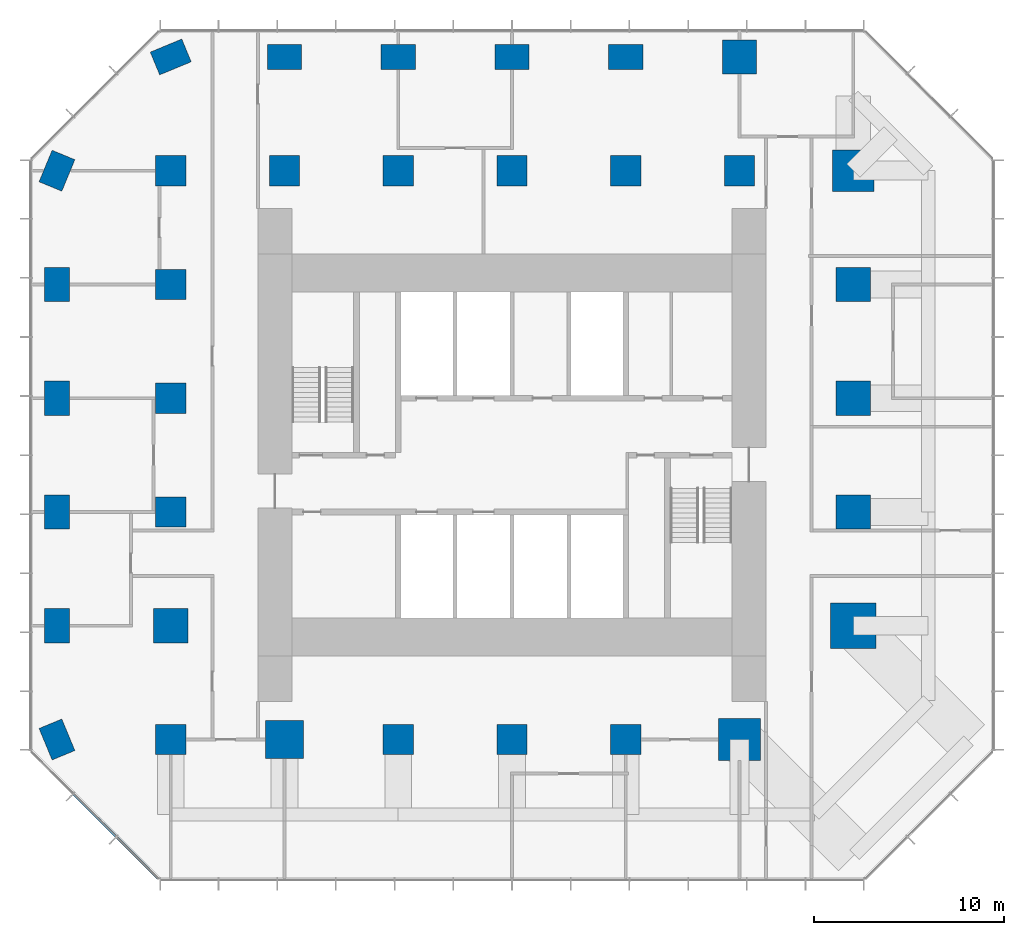
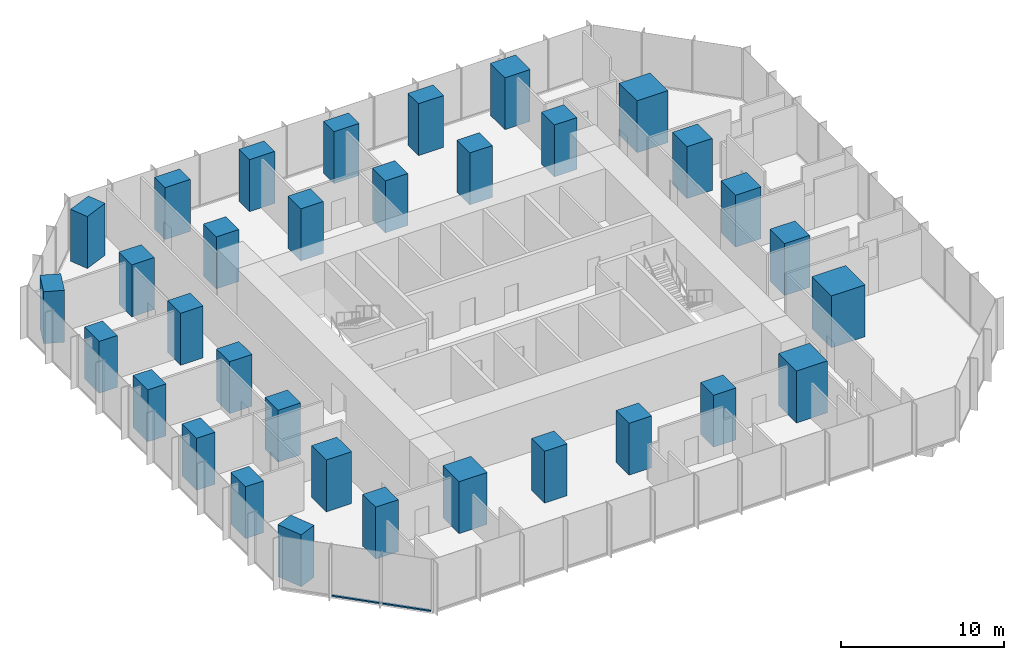
# One storey, part 1 of 11: 33 columns, 2 members, 1 element without a shape of its own.
"""IFC4 building model written with IfcOpenShell, lengths in metres."""

from ifc_helpers import new_model, si_unit, direction, frame, origin, origin_2d, place, context, subcontext, project, spatial, rectangle, extrude, material, layer, layer_set, material_profile, profile_set, type_object, element, aggregate, save


model = new_model("IFC4")

# Units and contexts
model_context = context("Model", 3, precision=1e-05, world=origin(), true_north=direction((0.0, 1.0)))
body_context = subcontext(model_context, "Body", "Model", "MODEL_VIEW")
ifc_project = project(units=[si_unit("LENGTHUNIT", "METRE"), si_unit("AREAUNIT", "SQUARE_METRE"), si_unit("VOLUMEUNIT", "CUBIC_METRE"), si_unit("PLANEANGLEUNIT", "RADIAN"), si_unit("MASSUNIT", "GRAM", prefix="KILO")], contexts=[model_context])

# Site, building, storey
site_placement = place(None, origin())
site = spatial("IfcSite", under=ifc_project, at=site_placement, CompositionType="ELEMENT")
building_placement = place(site_placement, origin())
building = spatial("IfcBuilding", under=site, at=building_placement, Name="Highveld Stack Headquarters", CompositionType="ELEMENT")
storey_placement = place(building_placement, frame((0.0, 0.0, 144.5)))
storey = spatial("IfcBuildingStorey", under=building, at=storey_placement, Name="L35", CompositionType="ELEMENT", Elevation=144.5)

# Columns
ifc_material_1 = material(Name="Concrete C60/75", Category="concrete")
ifc_material_profile_1 = material_profile(ifc_material_1, rectangle(XDim=1.60009765625, YDim=1.60009765625, at=origin_2d()), Name="RC 1600x1600")
ifc_profile_set_1 = profile_set([ifc_material_profile_1], Name="Concrete C60/75")
column_type_1 = type_object("IfcColumnType", Name="COLUMN RC 1600x1600 C60/75", PredefinedType="COLUMN", material=ifc_profile_set_1)
for number, where, z_axis, x_axis, name in (
    (1, (-12.0, -12.0, 0.0), (0.0, 0.0, 1.0), (1.0, 0.0, 0.0), "Column 4/C L35"),
    (2, (-12.0, 0.0, 0.0), (0.0, 0.0, 1.0), (1.0, 0.0, 0.0), "Column 4/E L35"),
    (3, (-12.0, 6.0, 0.0), (0.0, 0.0, 1.0), (1.0, 0.0, 0.0), "Column 4/F L35"),
    (4, (-12.0, 12.0, 0.0), (0.0, 0.0, 1.0), (1.0, 0.0, 0.0), "Column 4/G L35"),
    (5, (-12.0, 18.0, 0.0), (0.0, 0.0, 1.0), (1.0, 0.0, 0.0), "Column 4/H L35"),
    (6, (-6.0, 18.0, 0.0), (0.0, 0.0, 1.0), (1.0, 0.0, 0.0), "Column 5/H L35"),
    (7, (0.0, -12.0, 0.0), (0.0, 0.0, 1.0), (1.0, 0.0, 0.0), "Column 6/C L35"),
    (8, (0.0, 18.0, 0.0), (0.0, 0.0, 1.0), (1.0, 0.0, 0.0), "Column 6/H L35"),
    (9, (6.0, -12.0, 0.0), (0.0, 0.0, 1.0), (1.0, 0.0, 0.0), "Column 7/C L35"),
    (10, (6.0, 18.0, 0.0), (0.0, 0.0, 1.0), (1.0, 0.0, 0.0), "Column 7/H L35"),
    (11, (12.0, -12.0, 0.0), (0.0, 0.0, 1.0), (1.0, 0.0, 0.0), "Column 8/C L35"),
    (12, (12.0, 18.0, 0.0), (0.0, 0.0, 1.0), (1.0, 0.0, 0.0), "Column 8/H L35"),
    (13, (18.0, 18.0, 0.0), (0.0, 0.0, 1.0), (1.0, 0.0, 0.0), "Column 9/H L35"),
):
    element("IfcColumn", number, at=place(storey_placement, frame(where, z_axis=z_axis, x_axis=x_axis)), inside=storey, type_object=column_type_1, Name=name, PredefinedType="COLUMN", context=body_context, shape_type="SweptSolid", body=[
        extrude(rectangle(XDim=1.60009765625, YDim=1.60009765625, at=origin_2d()), origin(), (0.0, 0.0, 1.0), 3.89990234375),
    ])
ifc_material_2 = material(Name="Concrete C60/75", Category="concrete")
ifc_material_profile_2 = material_profile(ifc_material_2, rectangle(XDim=1.800048828125, YDim=1.300048828125, at=origin_2d()), Name="RC 1800x1300")
ifc_profile_set_2 = profile_set([ifc_material_profile_2], Name="Concrete C60/75")
column_type_2 = type_object("IfcColumnType", Name="COLUMN RC 1800x1300 C60/75", PredefinedType="COLUMN", material=ifc_profile_set_2)
for number, where, z_axis, x_axis, name in (
    (14, (-18.0, -12.0, 0.0), (0.0, 0.0, 1.0), (-0.382683432365, 0.923879532511, 0.0), "Column 3/C L35"),
    (15, (-18.0, -6.0, 0.0), (0.0, 0.0, 1.0), (0.0, 1.0, 0.0), "Column 3/D L35"),
    (16, (-18.0, 0.0, 0.0), (0.0, 0.0, 1.0), (0.0, 1.0, 0.0), "Column 3/E L35"),
    (17, (-18.0, 6.0, 0.0), (0.0, 0.0, 1.0), (0.0, 1.0, 0.0), "Column 3/F L35"),
    (18, (-18.0, 12.0, 0.0), (0.0, 0.0, 1.0), (0.0, 1.0, 0.0), "Column 3/G L35"),
    (19, (-18.0, 18.0, 0.0), (0.0, 0.0, 1.0), (0.382683432365, 0.923879532511, 0.0), "Column 3/H L35"),
    (20, (-12.0, 24.0, 0.0), (0.0, 0.0, 1.0), (0.923879532511, 0.382683432365, 0.0), "Column 4/J L35"),
    (21, (-6.0, 24.0, 0.0), (0.0, 0.0, 1.0), (1.0, 0.0, 0.0), "Column 5/J L35"),
    (22, (0.0, 24.0, 0.0), (0.0, 0.0, 1.0), (1.0, 0.0, 0.0), "Column 6/J L35"),
    (23, (6.0, 24.0, 0.0), (0.0, 0.0, 1.0), (1.0, 0.0, 0.0), "Column 7/J L35"),
    (24, (12.0, 24.0, 0.0), (0.0, 0.0, 1.0), (1.0, 0.0, 0.0), "Column 8/J L35"),
):
    element("IfcColumn", number, at=place(storey_placement, frame(where, z_axis=z_axis, x_axis=x_axis)), inside=storey, type_object=column_type_2, Name=name, PredefinedType="COLUMN", context=body_context, shape_type="SweptSolid", body=[
        extrude(rectangle(XDim=1.800048828125, YDim=1.300048828125, at=origin_2d()), origin(), (0.0, 0.0, 1.0), 3.89990234375),
    ])
ifc_material_3 = material(Name="Concrete C60/75", Category="concrete")
ifc_material_profile_3 = material_profile(ifc_material_3, rectangle(XDim=1.800048828125, YDim=1.800048828125, at=origin_2d()), Name="RC 1800x1800")
ifc_profile_set_3 = profile_set([ifc_material_profile_3], Name="Concrete C60/75")
column_type_3 = type_object("IfcColumnType", Name="COLUMN RC 1800x1800 C60/75", PredefinedType="COLUMN", material=ifc_profile_set_3)
for number, where, z_axis, x_axis, name in (
    (25, (-12.0, -6.0, 0.0), (0.0, 0.0, 1.0), (1.0, 0.0, 0.0), "Column 4/D L35"),
    (26, (18.0, 24.0, 0.0), (0.0, 0.0, 1.0), (1.0, 0.0, 0.0), "Column 9/J L35"),
    (27, (24.0, 0.0, 0.0), (0.0, 0.0, 1.0), (1.0, 0.0, 0.0), "Column 10/E L35"),
    (28, (24.0, 6.0, 0.0), (0.0, 0.0, 1.0), (1.0, 0.0, 0.0), "Column 10/F L35"),
    (29, (24.0, 12.0, 0.0), (0.0, 0.0, 1.0), (1.0, 0.0, 0.0), "Column 10/G L35"),
):
    element("IfcColumn", number, at=place(storey_placement, frame(where, z_axis=z_axis, x_axis=x_axis)), inside=storey, type_object=column_type_3, Name=name, PredefinedType="COLUMN", context=body_context, shape_type="SweptSolid", body=[
        extrude(rectangle(XDim=1.800048828125, YDim=1.800048828125, at=origin_2d()), origin(), (0.0, 0.0, 1.0), 3.89990234375),
    ])
ifc_material_4 = material(Name="Concrete C60/75", Category="concrete")
ifc_material_profile_4 = material_profile(ifc_material_4, rectangle(XDim=2.0, YDim=2.0, at=origin_2d()), Name="RC 2000x2000")
ifc_profile_set_4 = profile_set([ifc_material_profile_4], Name="Concrete C60/75")
column_type_4 = type_object("IfcColumnType", Name="COLUMN RC 2000x2000 C60/75", PredefinedType="COLUMN", material=ifc_profile_set_4)
column_1_placement = place(storey_placement, frame((-6.0, -12.0, 0.0), z_axis=(0.0, 0.0, 1.0), x_axis=(1.0, 0.0, 0.0)))
element("IfcColumn", 30, at=column_1_placement, inside=storey, type_object=column_type_4, Name="Column 5/C L35", PredefinedType="COLUMN", context=body_context, shape_type="SweptSolid", body=[
    extrude(rectangle(XDim=2.0, YDim=2.0, at=origin_2d()), origin(), (0.0, 0.0, 1.0), 3.89990234375),
])
ifc_material_5 = material(Name="Concrete C60/75", Category="concrete")
ifc_material_profile_5 = material_profile(ifc_material_5, rectangle(XDim=2.199951171875, YDim=2.199951171875, at=origin_2d()), Name="RC 2200x2200")
ifc_profile_set_5 = profile_set([ifc_material_profile_5], Name="Concrete C60/75")
column_type_5 = type_object("IfcColumnType", Name="COLUMN RC 2200x2200 C60/75", PredefinedType="COLUMN", material=ifc_profile_set_5)
for number, where, z_axis, x_axis, name in (
    (31, (18.0, -12.0, 0.0), (0.0, 0.0, 1.0), (1.0, 0.0, 0.0), "Column 9/C L35"),
    (32, (24.0, 18.0, 0.0), (0.0, 0.0, 1.0), (1.0, 0.0, 0.0), "Column 10/H L35"),
):
    element("IfcColumn", number, at=place(storey_placement, frame(where, z_axis=z_axis, x_axis=x_axis)), inside=storey, type_object=column_type_5, Name=name, PredefinedType="COLUMN", context=body_context, shape_type="SweptSolid", body=[
        extrude(rectangle(XDim=2.199951171875, YDim=2.199951171875, at=origin_2d()), origin(), (0.0, 0.0, 1.0), 3.89990234375),
    ])
ifc_material_6 = material(Name="Concrete C60/75", Category="concrete")
ifc_material_profile_6 = material_profile(ifc_material_6, rectangle(XDim=2.39990234375, YDim=2.39990234375, at=origin_2d()), Name="RC 2400x2400")
ifc_profile_set_6 = profile_set([ifc_material_profile_6], Name="Concrete C60/75")
column_type_6 = type_object("IfcColumnType", Name="COLUMN RC 2400x2400 C60/75", PredefinedType="COLUMN", material=ifc_profile_set_6)
column_2_placement = place(storey_placement, frame((24.0, -6.0, 0.0), z_axis=(0.0, 0.0, 1.0), x_axis=(1.0, 0.0, 0.0)))
element("IfcColumn", 33, at=column_2_placement, inside=storey, type_object=column_type_6, Name="Column 10/D L35", PredefinedType="COLUMN", context=body_context, shape_type="SweptSolid", body=[
    extrude(rectangle(XDim=2.39990234375, YDim=2.39990234375, at=origin_2d()), origin(), (0.0, 0.0, 1.0), 3.89990234375),
])

# Curtain wall, members
ifc_material_7 = material(Name="Aluminium bronze anodised", Category="aluminium")
ifc_layer = layer(ifc_material_7, 0.199951171875)
ifc_layer_set = layer_set([ifc_layer], Name="Aluminium bronze anodised")
curtain_wall_type = type_object("IfcCurtainWallType", Name="CW2 TOWER CHAMFER UNITISED CURTAIN WALL", PredefinedType="NOTDEFINED", material=ifc_layer_set)
curtain_wall_placement = place(storey_placement, origin())
curtain_wall = element("IfcCurtainWall", 34, at=curtain_wall_placement, inside=storey, type_object=curtain_wall_type, Name="Curtain wall CW2 L35 SW", PredefinedType="NOTDEFINED")
ifc_material_8 = material(Name="Aluminium bronze anodised", Category="aluminium")
ifc_material_profile_7 = material_profile(ifc_material_8, rectangle(XDim=0.14990234375, YDim=0.10009765625, at=origin_2d()), Name="CW2 TRANSOM 150x100")
ifc_profile_set_7 = profile_set([ifc_material_profile_7], Name="Aluminium bronze anodised")
member_type = type_object("IfcMemberType", Name="CW2 STACK TRANSOM 150x100", PredefinedType="USERDEFINED", material=ifc_profile_set_7)
member_1_placement = place(storey_placement, frame((-17.103759765625, -14.876220703125, 0.050048828125), z_axis=(0.707106781187, -0.707106781187, 0.0), x_axis=(0.707106781187, 0.707106781187, 0.0)))
member_1 = element("IfcMember", 35, at=member_1_placement, type_object=member_type, Name="CW2 transom L35 2.1", ObjectType="TRANSOM", PredefinedType="USERDEFINED", context=body_context, shape_type="SweptSolid", body=[
    extrude(rectangle(XDim=0.14990234375, YDim=0.10009765625, at=origin_2d()), origin(), (0.0, 0.0, 1.0), 3.150146484375),
])
member_2_placement = place(storey_placement, frame((-14.830322265625, -17.149658203125, 0.050048828125), z_axis=(0.707106781187, -0.707106781187, 0.0), x_axis=(0.707106781187, 0.707106781187, 0.0)))
member_2 = element("IfcMember", 36, at=member_2_placement, type_object=member_type, Name="CW2 transom L35 3.1", ObjectType="TRANSOM", PredefinedType="USERDEFINED", context=body_context, shape_type="SweptSolid", body=[
    extrude(rectangle(XDim=0.14990234375, YDim=0.10009765625, at=origin_2d()), origin(), (0.0, 0.0, 1.0), 3.08251953125),
])
aggregate(curtain_wall, [member_1, member_2])

save(model, "model.ifc")
